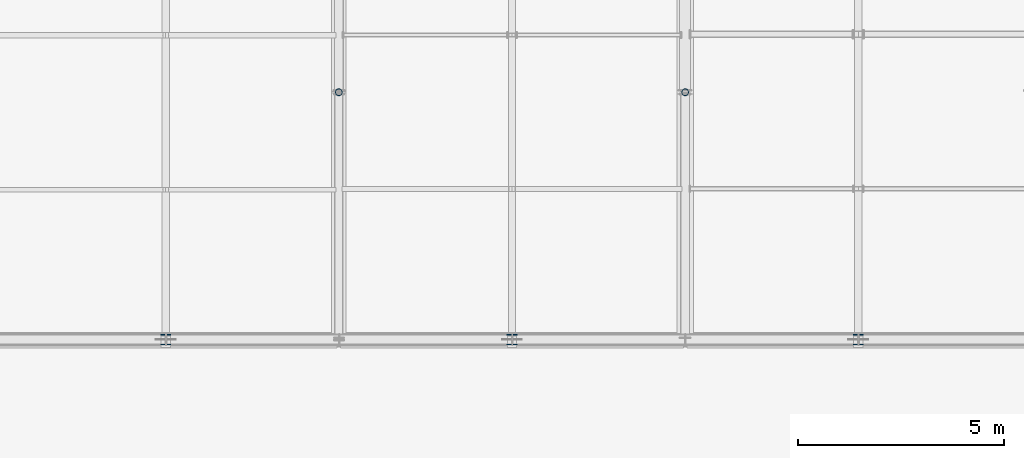
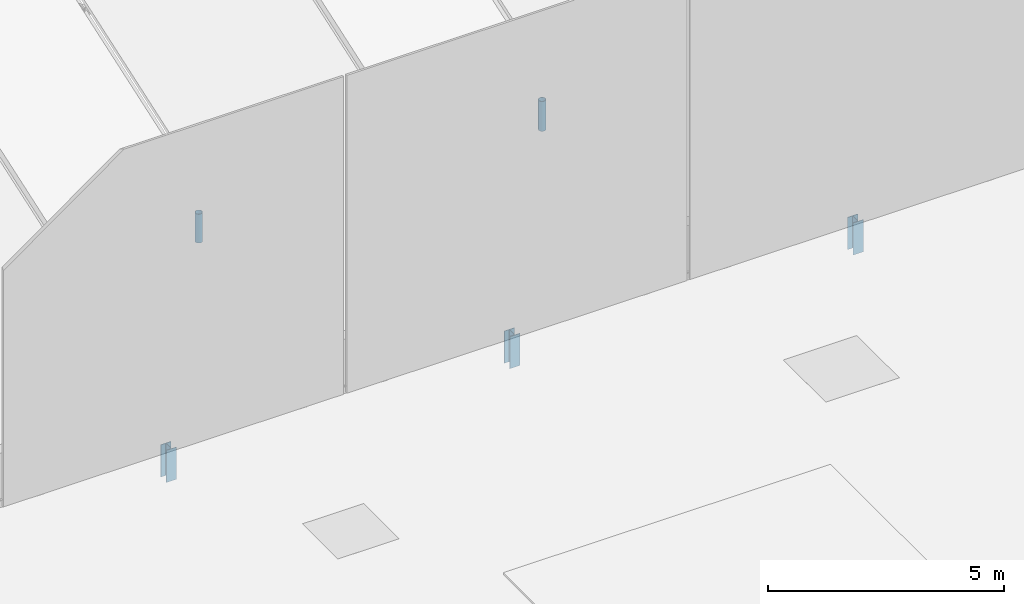
# One storey, part 46 of 77: 5 members.
"""IFC4 building model written with IfcOpenShell, lengths in metres."""

from ifc_helpers import new_model, si_unit, direction, frame, origin, origin_2d, place, context, subcontext, project, spatial, hollow_circle, i_section, extrude, material, material_profile, profile_set, type_object, element, save


model = new_model("IFC4")

# Units and contexts
model_context = context("Model", 3, precision=1e-05, world=origin(), true_north=direction((0.0, 1.0)))
body_context = subcontext(model_context, "Body", "Model", "MODEL_VIEW")
ifc_project = project(units=[si_unit("LENGTHUNIT", "METRE"), si_unit("AREAUNIT", "SQUARE_METRE"), si_unit("VOLUMEUNIT", "CUBIC_METRE"), si_unit("PLANEANGLEUNIT", "RADIAN"), si_unit("MASSUNIT", "GRAM", prefix="KILO")], contexts=[model_context])

# Site, building, storey
site_placement = place(None, origin())
site = spatial("IfcSite", under=ifc_project, at=site_placement, CompositionType="ELEMENT")
building_placement = place(site_placement, origin())
building = spatial("IfcBuilding", under=site, at=building_placement, Name="Larkvane Passage Sports Hall", CompositionType="ELEMENT")
storey_placement = place(building_placement, frame((0.0, 0.0, 22.199951171875)))
storey = spatial("IfcBuildingStorey", under=building, at=storey_placement, Name="RF", CompositionType="ELEMENT", Elevation=22.199951171875)

# Members
ifc_material = material(Name="Steel S355JR", Category="steel")
ifc_material_profile_1 = material_profile(ifc_material, hollow_circle(Radius=0.08251953125, WallThickness=0.006103515625, at=origin_2d()), Name="CHS-165.2x6.0")
ifc_profile_set_1 = profile_set([ifc_material_profile_1], Name="Steel S355JR")
member_type_1 = type_object("IfcMemberType", Name="MBR-ST-CHS165", PredefinedType="STRUT", material=ifc_profile_set_1)
member_1_placement = place(storey_placement, frame((68.39990234375, 45.60009765625, 0.239990234375), z_axis=(0.0, 0.0, 1.0), x_axis=(1.0, 0.0, 0.0)))
element("IfcMember", 1, at=member_1_placement, inside=storey, type_object=member_type_1, Name="Arena roof truss 5 vertical strut 1", PredefinedType="STRUT", context=body_context, shape_type="SweptSolid", body=[
    extrude(hollow_circle(Radius=0.08251953125, WallThickness=0.006103515625, at=origin_2d()), origin(), (0.0, 0.0, 1.0), 0.747802734375),
])
member_2_placement = place(storey_placement, frame((76.800048828125, 45.60009765625, 0.18994140625), z_axis=(0.0, 0.0, 1.0), x_axis=(1.0, 0.0, 0.0)))
element("IfcMember", 2, at=member_2_placement, inside=storey, type_object=member_type_1, Name="Arena roof truss 6 vertical strut 1", PredefinedType="STRUT", context=body_context, shape_type="SweptSolid", body=[
    extrude(hollow_circle(Radius=0.08251953125, WallThickness=0.006103515625, at=origin_2d()), origin(), (0.0, 0.0, 1.0), 0.772705078125),
])
ifc_material_profile_2 = material_profile(ifc_material, i_section(OverallWidth=0.25, OverallDepth=0.25, WebThickness=0.009033203125, FlangeThickness=0.013916015625, FilletRadius=0.012939453125, at=origin_2d()), Name="H-250x250x9x14")
ifc_profile_set_2 = profile_set([ifc_material_profile_2], Name="Steel S355JR")
member_type_2 = type_object("IfcMemberType", Name="MBR-ST-H250", PredefinedType="STRUT", material=ifc_profile_set_2)
for number, where, z_axis, x_axis, name in (
    (3, (64.199951171875, 39.60009765625, -0.780029296875), (0.0, 0.0, 1.0), (1.0, 0.0, 0.0), "Arena south valley eave truss post 4"),
    (4, (72.60009765625, 39.60009765625, -0.780029296875), (0.0, 0.0, 1.0), (1.0, 0.0, 0.0), "Arena south valley eave truss post 5"),
    (5, (81.0, 39.60009765625, -0.780029296875), (0.0, 0.0, 1.0), (1.0, 0.0, 0.0), "Arena south valley eave truss post 6"),
):
    element("IfcMember", number, at=place(storey_placement, frame(where, z_axis=z_axis, x_axis=x_axis)), inside=storey, type_object=member_type_2, Name=name, PredefinedType="STRUT", context=body_context, shape_type="SweptSolid", body=[
        extrude(i_section(OverallWidth=0.25, OverallDepth=0.25, WebThickness=0.009033203125, FlangeThickness=0.013916015625, FilletRadius=0.012939453125, at=origin_2d()), origin(), (0.0, 0.0, 1.0), 0.830078125),
    ])

save(model, "model.ifc")
